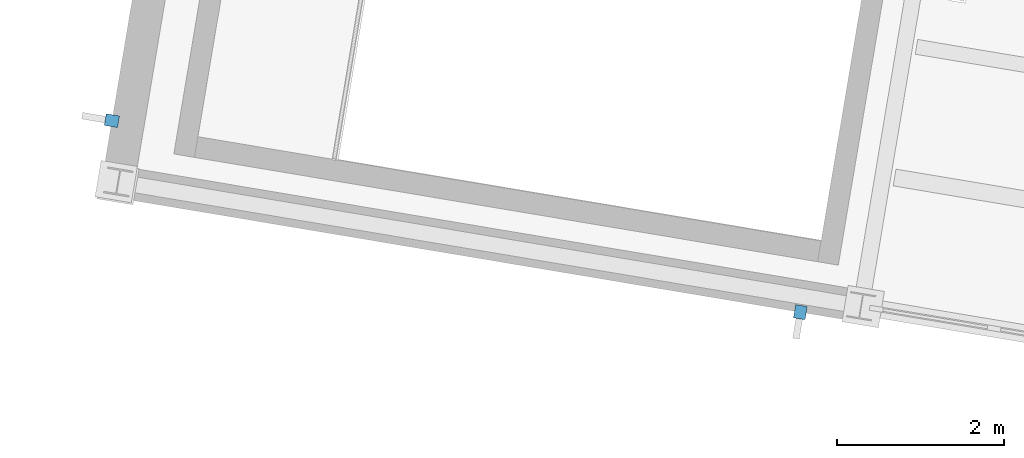
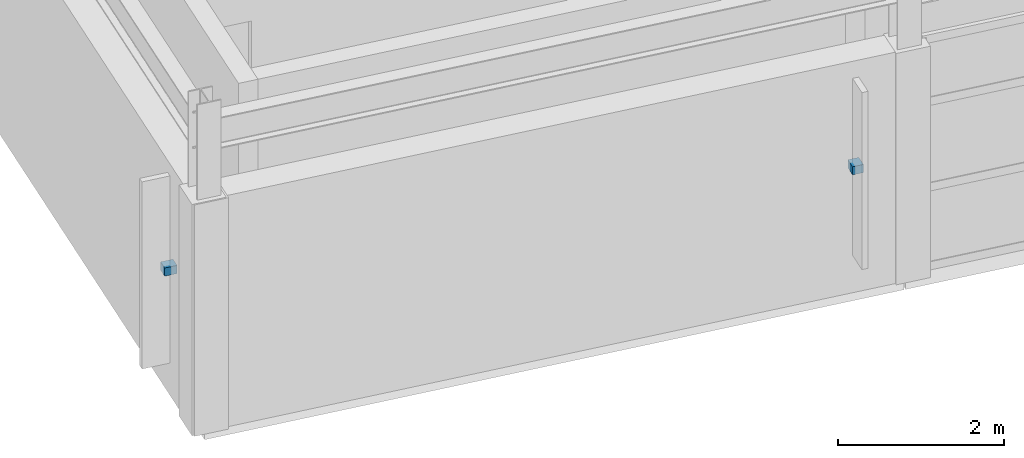
# One storey, part 52 of 59: 2 discrete accessories.
"""IFC4 building model written with IfcOpenShell, lengths in metres."""

from ifc_helpers import new_model, si_unit, direction, frame, origin, origin_2d, place, context, subcontext, project, spatial, rectangle, extrude, material, type_object, element, save


model = new_model("IFC4")

# Units and contexts
model_context = context("Model", 3, precision=1e-05, world=origin(), true_north=direction((0.0, 1.0)))
body_context = subcontext(model_context, "Body", "Model", "MODEL_VIEW")
ifc_project = project(units=[si_unit("LENGTHUNIT", "METRE"), si_unit("AREAUNIT", "SQUARE_METRE"), si_unit("VOLUMEUNIT", "CUBIC_METRE"), si_unit("PLANEANGLEUNIT", "RADIAN"), si_unit("MASSUNIT", "GRAM", prefix="KILO")], contexts=[model_context])

# Site, building, storey
site_placement = place(None, origin())
site = spatial("IfcSite", under=ifc_project, at=site_placement, CompositionType="ELEMENT")
building_placement = place(site_placement, origin())
building = spatial("IfcBuilding", under=site, at=building_placement, Name="Vireo Bluff Cable Station", CompositionType="ELEMENT")
storey_placement = place(building_placement, frame((0.0, 0.0, 14.39990234375)))
storey = spatial("IfcBuildingStorey", under=building, at=storey_placement, Name="L03", CompositionType="ELEMENT", Elevation=14.39990234375)

# Discrete accessories
ifc_material = material(Name="Stainless Steel 316", Category="steel")
discrete_accessory_type = type_object("IfcDiscreteAccessoryType", Name="FACADE-BRACKET-01", PredefinedType="BRACKET", material=ifc_material)
for number, where, z_axis, x_axis, name in (
    (1, (15.21826171875, 79.313232421875, 1.7900390625), (0.0, 0.0, 1.0), (-0.986285614938, 0.165047525781, 0.0), "V4 L03 solar fin bracket 30"),
    (2, (6.99267578125, 81.6015625, 1.7900390625), (0.0, 0.0, 1.0), (0.165047600421, 0.986285602448, 0.0), "V4 L03 solar fin bracket 31"),
):
    element("IfcDiscreteAccessory", number, at=place(storey_placement, frame(where, z_axis=z_axis, x_axis=x_axis)), inside=storey, type_object=discrete_accessory_type, Name=name, PredefinedType="BRACKET", context=body_context, shape_type="SweptSolid", body=[
        extrude(rectangle(XDim=0.139892578125, YDim=0.159912109375, at=origin_2d()), origin(), (0.0, 0.0, 1.0), 0.1201171875),
    ])

save(model, "model.ifc")
